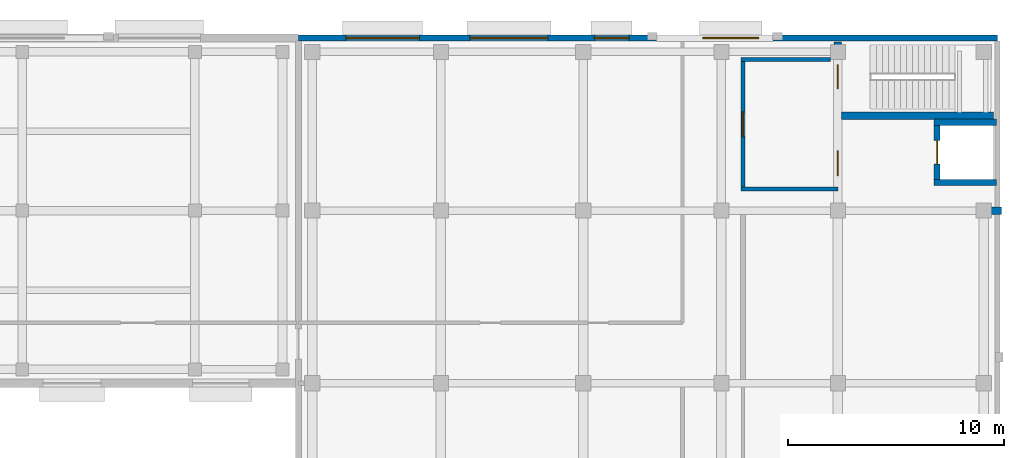
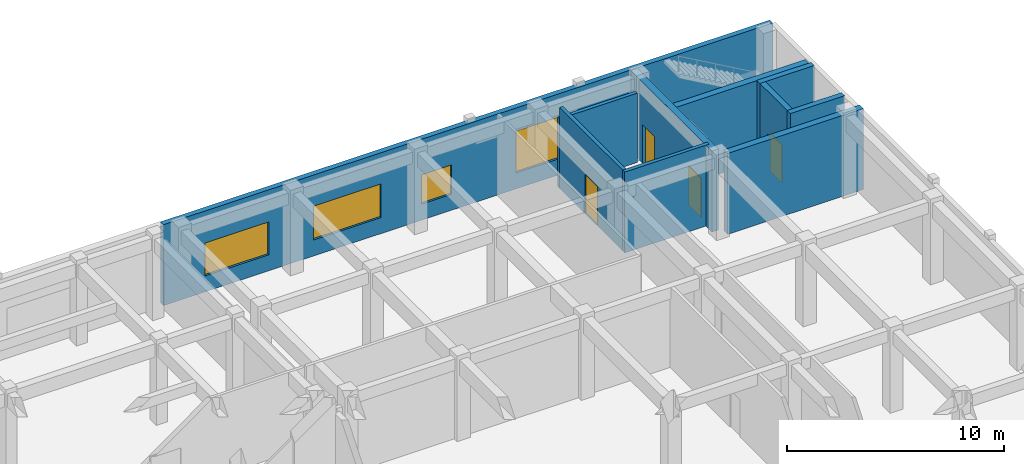
# One storey, part 45 of 64: 10 walls, 4 doors, 4 windows, 8 openings.
"""IFC4 building model written with IfcOpenShell, lengths in metres."""

from ifc_helpers import new_model, si_unit, direction, frame, frame_2d, origin, place, context, subcontext, project, spatial, rectangle, extrude, material, layer, layer_set, type_object, element, fill, save


model = new_model("IFC4")

# Units and contexts
model_context = context("Model", 3, precision=1e-05, world=origin(), true_north=direction((0.0, 1.0)))
body_context = subcontext(model_context, "Body", "Model", "MODEL_VIEW")
ifc_project = project(units=[si_unit("LENGTHUNIT", "METRE"), si_unit("AREAUNIT", "SQUARE_METRE"), si_unit("VOLUMEUNIT", "CUBIC_METRE"), si_unit("PLANEANGLEUNIT", "RADIAN"), si_unit("MASSUNIT", "GRAM", prefix="KILO")], contexts=[model_context])

# Site, building, storey
site_placement = place(None, origin())
site = spatial("IfcSite", under=ifc_project, at=site_placement, CompositionType="ELEMENT")
building_placement = place(site_placement, origin())
building = spatial("IfcBuilding", under=site, at=building_placement, Name="Cinchona Park Media Centre", CompositionType="ELEMENT")
storey_placement = place(building_placement, frame((0.0, 0.0, 5.39990234375)))
storey = spatial("IfcBuildingStorey", under=building, at=storey_placement, Name="L01", CompositionType="ELEMENT", Elevation=5.39990234375)

# Wall
ifc_material_1 = material(Name="Concrete C40/50", Category="concrete")
ifc_layer_1 = layer(ifc_material_1, 0.35009765625)
ifc_layer_set_1 = layer_set([ifc_layer_1], Name="Concrete C40/50")
wall_type_1 = type_object("IfcWallType", Name="WALL-W-CR350", PredefinedType="SHEAR", material=ifc_layer_set_1)
wall_1_placement = place(storey_placement, frame((164.951904296875, 110.0, 0.0), z_axis=(0.0, 0.0, 1.0), x_axis=(1.0, 0.0, 0.0)))
element("IfcWall", 1, at=wall_1_placement, inside=storey, type_object=wall_type_1, Name="Core Shear Wall W-CR350 L01", PredefinedType="SHEAR", context=body_context, shape_type="SweptSolid", body=[
    extrude(rectangle(XDim=7.22314453125, YDim=0.35009765625, at=frame_2d((3.611572265625, 0.0))), origin(), (0.0, 0.0, 1.0), 4.550048828125),
])

# Wall, openings, doors
wall_2_placement = place(storey_placement, frame((164.60009765625, 110.35205078125, 0.0), z_axis=(0.0, 0.0, 1.0), x_axis=(0.0, 1.0, 0.0)))
wall_2 = element("IfcWall", 2, at=wall_2_placement, inside=storey, type_object=wall_type_1, Name="Core Shear Wall W-CR350 L01", PredefinedType="SHEAR", context=body_context, shape_type="SweptSolid", body=[
    extrude(rectangle(XDim=7.472900390625, YDim=0.35009765625, at=frame_2d((3.736328125, 0.0))), origin(), (0.0, 0.0, 1.0), 4.550048828125),
])
opening_1_placement = place(wall_2_placement, frame((5.298095703125, 0.0, 0.0)))
opening_1 = element("IfcOpeningElement", 3, at=opening_1_placement, cuts=wall_2, Name="Opening D061", PredefinedType="OPENING", context=body_context, shape_type="SweptSolid", body=[
    extrude(rectangle(XDim=1.10009765625, YDim=2.14990234375, at=frame_2d((0.550048828125, 1.074951171875))), frame((0.0, 0.18505859375, 0.0), z_axis=(0.0, -1.0, 0.0), x_axis=(1.0, 0.0, 0.0)), (0.0, 0.0, 1.0), 0.3701171875),
])
opening_2_placement = place(wall_2_placement, frame((1.27294921875, 0.0, 0.0)))
opening_2 = element("IfcOpeningElement", 4, at=opening_2_placement, cuts=wall_2, Name="Opening D062", PredefinedType="OPENING", context=body_context, shape_type="SweptSolid", body=[
    extrude(rectangle(XDim=1.14990234375, YDim=2.199951171875, at=frame_2d((0.574951171875, 1.10009765625))), frame((0.0, 0.18505859375, 0.0), z_axis=(0.0, -1.0, 0.0), x_axis=(1.0, 0.0, 0.0)), (0.0, 0.0, 1.0), 0.3701171875),
])
ifc_material_2 = material(Name="Insulated Fire-Rated Steel Door", Category="steel")
door_type_1 = type_object("IfcDoorType", Name="DOOR-DT-FF", OperationType="NOTDEFINED", PredefinedType="DOOR", material=ifc_material_2)
door_1_placement = place(opening_2_placement, origin())
door_1 = element("IfcDoor", 5, at=door_1_placement, inside=storey, type_object=door_type_1, Name="Interior Door D062", OperationType="SINGLE_SWING_RIGHT", OverallHeight=2.199951171875, OverallWidth=1.14990234375, PredefinedType="DOOR", context=body_context, shape_type="SweptSolid", body=[
    extrude(rectangle(XDim=1.14990234375, YDim=2.199951171875, at=frame_2d((0.574951171875, 1.10009765625))), frame((0.0, 0.02490234375, 0.0), z_axis=(0.0, -1.0, 0.0), x_axis=(1.0, 0.0, 0.0)), (0.0, 0.0, 1.0), 0.050048828125),
])
fill(opening_2, door_1)
ifc_material_3 = material(Name="Insulated Fire-Rated Steel Door", Category="steel")
door_type_2 = type_object("IfcDoorType", Name="DOOR-DT-ST", OperationType="NOTDEFINED", PredefinedType="DOOR", material=ifc_material_3)
door_2_placement = place(opening_1_placement, origin())
door_2 = element("IfcDoor", 6, at=door_2_placement, inside=storey, type_object=door_type_2, Name="Interior Door D061", OperationType="SINGLE_SWING_LEFT", OverallHeight=2.14990234375, OverallWidth=1.10009765625, PredefinedType="DOOR", context=body_context, shape_type="SweptSolid", body=[
    extrude(rectangle(XDim=1.10009765625, YDim=2.14990234375, at=frame_2d((0.550048828125, 1.074951171875))), frame((0.0, 0.02490234375, 0.0), z_axis=(0.0, -1.0, 0.0), x_axis=(1.0, 0.0, 0.0)), (0.0, 0.0, 1.0), 0.050048828125),
])
fill(opening_1, door_2)

# Wall
wall_3_placement = place(storey_placement, frame((164.77490234375, 114.39990234375, 0.0), z_axis=(0.0, 0.0, 1.0), x_axis=(1.0, 0.0, 0.0)))
element("IfcWall", 7, at=wall_3_placement, inside=storey, type_object=wall_type_1, Name="Core Shear Wall W-CR350 L01", PredefinedType="SHEAR", context=body_context, shape_type="SweptSolid", body=[
    extrude(rectangle(XDim=7.050048828125, YDim=0.35009765625, at=frame_2d((3.52490234375, 0.0))), origin(), (0.0, 0.0, 1.0), 4.550048828125),
])

# Wall, openings, windows
ifc_material_4 = material(Name="Precast concrete C40/50", Category="concrete")
ifc_layer_2 = layer(ifc_material_4, 0.27490234375)
ifc_layer_set_2 = layer_set([ifc_layer_2], Name="Precast concrete C40/50")
wall_type_2 = type_object("IfcWallType", Name="WALL-W-EX03", PredefinedType="SOLIDWALL", material=ifc_layer_set_2)
wall_4_placement = place(storey_placement, frame((139.60009765625, 118.0, 0.0), z_axis=(0.0, 0.0, 1.0), x_axis=(1.0, 0.0, 0.0)))
wall_4 = element("IfcWall", 8, at=wall_4_placement, inside=storey, type_object=wall_type_2, Name="Exterior Wall W-EX03 V7 L01", PredefinedType="SOLIDWALL", context=body_context, shape_type="SweptSolid", body=[
    extrude(rectangle(XDim=32.39990234375, YDim=0.27490234375, at=frame_2d((16.199951171875, 0.0))), origin(), (0.0, 0.0, 1.0), 4.550048828125),
])
opening_3_placement = place(wall_4_placement, frame((2.199951171875, 0.0, 0.89990234375)))
opening_3 = element("IfcOpeningElement", 9, at=opening_3_placement, cuts=wall_4, Name="Opening WN34", PredefinedType="OPENING", context=body_context, shape_type="SweptSolid", body=[
    extrude(rectangle(XDim=3.39990234375, YDim=1.85009765625, at=frame_2d((1.699951171875, 0.925048828125))), frame((0.0, 0.1474609375, 0.0), z_axis=(0.0, -1.0, 0.0), x_axis=(1.0, 0.0, 0.0)), (0.0, 0.0, 1.0), 0.294921875),
])
opening_4_placement = place(wall_4_placement, frame((7.9599609375, 0.0, 0.89990234375)))
opening_4 = element("IfcOpeningElement", 10, at=opening_4_placement, cuts=wall_4, Name="Opening WN35", PredefinedType="OPENING", context=body_context, shape_type="SweptSolid", body=[
    extrude(rectangle(XDim=3.60009765625, YDim=1.89990234375, at=frame_2d((1.800048828125, 0.949951171875))), frame((0.0, 0.1474609375, 0.0), z_axis=(0.0, -1.0, 0.0), x_axis=(1.0, 0.0, 0.0)), (0.0, 0.0, 1.0), 0.294921875),
])
opening_5_placement = place(wall_4_placement, frame((13.719970703125, 0.0, 0.89990234375)))
opening_5 = element("IfcOpeningElement", 11, at=opening_5_placement, cuts=wall_4, Name="Opening WN25", PredefinedType="OPENING", context=body_context, shape_type="SweptSolid", body=[
    extrude(rectangle(XDim=1.60009765625, YDim=1.64990234375, at=frame_2d((0.800048828125, 0.824951171875))), frame((0.0, 0.1474609375, 0.0), z_axis=(0.0, -1.0, 0.0), x_axis=(1.0, 0.0, 0.0)), (0.0, 0.0, 1.0), 0.294921875),
])
opening_6_placement = place(wall_4_placement, frame((18.72998046875, 0.0, 0.89990234375)))
opening_6 = element("IfcOpeningElement", 12, at=opening_6_placement, cuts=wall_4, Name="Opening WN13", PredefinedType="OPENING", context=body_context, shape_type="SweptSolid", body=[
    extrude(rectangle(XDim=2.60009765625, YDim=2.35009765625, at=frame_2d((1.300048828125, 1.175048828125))), frame((0.0, 0.1474609375, 0.0), z_axis=(0.0, -1.0, 0.0), x_axis=(1.0, 0.0, 0.0)), (0.0, 0.0, 1.0), 0.294921875),
])
ifc_material_5 = material(Name="Thermally Broken Aluminium Solar-Control Window", Category="aluminium")
window_type_1 = type_object("IfcWindowType", Name="WIN-WN13", PartitioningType="SINGLE_PANEL", PredefinedType="WINDOW", material=ifc_material_5)
window_1_placement = place(opening_6_placement, origin())
window_1 = element("IfcWindow", 13, at=window_1_placement, inside=storey, type_object=window_type_1, Name="Window WN13 L01", OverallHeight=2.35009765625, OverallWidth=2.60009765625, PartitioningType="SINGLE_PANEL", PredefinedType="WINDOW", context=body_context, shape_type="SweptSolid", body=[
    extrude(rectangle(XDim=2.60009765625, YDim=2.35009765625, at=frame_2d((1.300048828125, 1.175048828125))), frame((0.0, 0.030029296875, 0.0), z_axis=(0.0, -1.0, 0.0), x_axis=(1.0, 0.0, 0.0)), (0.0, 0.0, 1.0), 0.06005859375),
])
fill(opening_6, window_1)
ifc_material_6 = material(Name="Thermally Broken Aluminium Solar-Control Window", Category="aluminium")
window_type_2 = type_object("IfcWindowType", Name="WIN-WN25", PartitioningType="SINGLE_PANEL", PredefinedType="WINDOW", material=ifc_material_6)
window_2_placement = place(opening_5_placement, origin())
window_2 = element("IfcWindow", 14, at=window_2_placement, inside=storey, type_object=window_type_2, Name="Window WN25 L01", OverallHeight=1.64990234375, OverallWidth=1.60009765625, PartitioningType="SINGLE_PANEL", PredefinedType="WINDOW", context=body_context, shape_type="SweptSolid", body=[
    extrude(rectangle(XDim=1.60009765625, YDim=1.64990234375, at=frame_2d((0.800048828125, 0.824951171875))), frame((0.0, 0.030029296875, 0.0), z_axis=(0.0, -1.0, 0.0), x_axis=(1.0, 0.0, 0.0)), (0.0, 0.0, 1.0), 0.06005859375),
])
fill(opening_5, window_2)
ifc_material_7 = material(Name="Thermally Broken Aluminium Solar-Control Window", Category="aluminium")
window_type_3 = type_object("IfcWindowType", Name="WIN-WN34", PartitioningType="SINGLE_PANEL", PredefinedType="WINDOW", material=ifc_material_7)
window_3_placement = place(opening_3_placement, origin())
window_3 = element("IfcWindow", 15, at=window_3_placement, inside=storey, type_object=window_type_3, Name="Window WN34 L01", OverallHeight=1.85009765625, OverallWidth=3.39990234375, PartitioningType="SINGLE_PANEL", PredefinedType="WINDOW", context=body_context, shape_type="SweptSolid", body=[
    extrude(rectangle(XDim=3.39990234375, YDim=1.85009765625, at=frame_2d((1.699951171875, 0.925048828125))), frame((0.0, 0.030029296875, 0.0), z_axis=(0.0, -1.0, 0.0), x_axis=(1.0, 0.0, 0.0)), (0.0, 0.0, 1.0), 0.06005859375),
])
fill(opening_3, window_3)
ifc_material_8 = material(Name="Thermally Broken Aluminium Solar-Control Window", Category="aluminium")
window_type_4 = type_object("IfcWindowType", Name="WIN-WN35", PartitioningType="SINGLE_PANEL", PredefinedType="WINDOW", material=ifc_material_8)
window_4_placement = place(opening_4_placement, origin())
window_4 = element("IfcWindow", 16, at=window_4_placement, inside=storey, type_object=window_type_4, Name="Window WN35 L01", OverallHeight=1.89990234375, OverallWidth=3.60009765625, PartitioningType="SINGLE_PANEL", PredefinedType="WINDOW", context=body_context, shape_type="SweptSolid", body=[
    extrude(rectangle(XDim=3.60009765625, YDim=1.89990234375, at=frame_2d((1.800048828125, 0.949951171875))), frame((0.0, 0.030029296875, 0.0), z_axis=(0.0, -1.0, 0.0), x_axis=(1.0, 0.0, 0.0)), (0.0, 0.0, 1.0), 0.06005859375),
])
fill(opening_4, window_4)

# Walls
ifc_material_9 = material(Name="Fire-Rated Gypsum Stud Partition", Category="gypsum")
ifc_layer_3 = layer(ifc_material_9, 0.18994140625)
ifc_layer_set_3 = layer_set([ifc_layer_3], Name="Fire-Rated Gypsum Stud Partition")
wall_type_3 = type_object("IfcWallType", Name="WALL-W-PT190", PredefinedType="PARTITIONING", material=ifc_layer_set_3)
wall_5_placement = place(storey_placement, frame((160.10498046875, 111.0, 0.0), z_axis=(0.0, 0.0, 1.0), x_axis=(1.0, 0.0, 0.0)))
element("IfcWall", 17, at=wall_5_placement, inside=storey, type_object=wall_type_3, Name="Interior Wall W-PT190 L01", PredefinedType="PARTITIONING", context=body_context, shape_type="SweptSolid", body=[
    extrude(rectangle(XDim=4.4951171875, YDim=0.18994140625, at=frame_2d((2.24755859375, 0.0))), origin(), (0.0, 0.0, 1.0), 4.550048828125),
])
wall_6_placement = place(storey_placement, frame((160.10498046875, 117.0, 0.0), z_axis=(0.0, 0.0, 1.0), x_axis=(1.0, 0.0, 0.0)))
element("IfcWall", 18, at=wall_6_placement, inside=storey, type_object=wall_type_3, Name="Interior Wall W-PT190 L01", PredefinedType="PARTITIONING", context=body_context, shape_type="SweptSolid", body=[
    extrude(rectangle(XDim=4.14306640625, YDim=0.18994140625, at=frame_2d((2.071533203125, 0.0))), origin(), (0.0, 0.0, 1.0), 3.900146484375),
])

# Wall, opening, door
wall_7_placement = place(storey_placement, frame((160.199951171875, 111.094970703125, 0.0), z_axis=(0.0, 0.0, 1.0), x_axis=(0.0, 1.0, 0.0)))
wall_7 = element("IfcWall", 19, at=wall_7_placement, inside=storey, type_object=wall_type_3, Name="Interior Wall W-PT190 L01", PredefinedType="PARTITIONING", context=body_context, shape_type="SweptSolid", body=[
    extrude(rectangle(XDim=5.81005859375, YDim=0.18994140625, at=frame_2d((2.905029296875, 0.0))), origin(), (0.0, 0.0, 1.0), 4.550048828125),
])
opening_7_placement = place(wall_7_placement, frame((2.330078125, 0.0, 0.0)))
opening_7 = element("IfcOpeningElement", 20, at=opening_7_placement, cuts=wall_7, Name="Opening D063", PredefinedType="OPENING", context=body_context, shape_type="SweptSolid", body=[
    extrude(rectangle(XDim=1.14990234375, YDim=2.199951171875, at=frame_2d((0.574951171875, 1.10009765625))), frame((0.0, 0.10498046875, 0.0), z_axis=(0.0, -1.0, 0.0), x_axis=(1.0, 0.0, 0.0)), (0.0, 0.0, 1.0), 0.2099609375),
])
door_3_placement = place(opening_7_placement, origin())
door_3 = element("IfcDoor", 21, at=door_3_placement, inside=storey, type_object=door_type_1, Name="Interior Door D063", OperationType="SINGLE_SWING_LEFT", OverallHeight=2.199951171875, OverallWidth=1.14990234375, PredefinedType="DOOR", context=body_context, shape_type="SweptSolid", body=[
    extrude(rectangle(XDim=1.14990234375, YDim=2.199951171875, at=frame_2d((0.574951171875, 1.10009765625))), frame((0.0, 0.02490234375, 0.0), z_axis=(0.0, -1.0, 0.0), x_axis=(1.0, 0.0, 0.0)), (0.0, 0.0, 1.0), 0.050048828125),
])
fill(opening_7, door_3)

# Walls
ifc_material_10 = material(Name="Concrete C40/50", Category="concrete")
ifc_layer_4 = layer(ifc_material_10, 0.2900390625)
ifc_layer_set_4 = layer_set([ifc_layer_4], Name="Concrete C40/50")
wall_type_4 = type_object("IfcWallType", Name="WALL-W-SH290", PredefinedType="SHEAR", material=ifc_layer_set_4)
for number, where, z_axis, x_axis, name in (
    (22, (169.054931640625, 111.300048828125, 0.0), (0.0, 0.0, 1.0), (1.0, 0.0, 0.0), "Core Shear Wall W-SH290 L01"),
    (23, (169.054931640625, 114.10009765625, 0.0), (0.0, 0.0, 1.0), (1.0, 0.0, 0.0), "Core Shear Wall W-SH290 L01"),
):
    element("IfcWall", number, at=place(storey_placement, frame(where, z_axis=z_axis, x_axis=x_axis)), inside=storey, type_object=wall_type_4, Name=name, PredefinedType="SHEAR", context=body_context, shape_type="SweptSolid", body=[
        extrude(rectangle(XDim=2.89013671875, YDim=0.2900390625, at=frame_2d((1.445068359375, 0.0))), origin(), (0.0, 0.0, 1.0), 4.550048828125),
    ])

# Wall, opening, door
wall_8_placement = place(storey_placement, frame((169.199951171875, 111.445068359375, 0.0), z_axis=(0.0, 0.0, 1.0), x_axis=(0.0, 1.0, 0.0)))
wall_8 = element("IfcWall", 24, at=wall_8_placement, inside=storey, type_object=wall_type_4, Name="Core Shear Wall W-SH290 L01", PredefinedType="SHEAR", context=body_context, shape_type="SweptSolid", body=[
    extrude(rectangle(XDim=2.510009765625, YDim=0.2900390625, at=frame_2d((1.2548828125, 0.0))), origin(), (0.0, 0.0, 1.0), 4.550048828125),
])
opening_8_placement = place(wall_8_placement, frame((0.705078125, 0.0, 0.0)))
opening_8 = element("IfcOpeningElement", 25, at=opening_8_placement, cuts=wall_8, Name="Opening LD16", PredefinedType="OPENING", context=body_context, shape_type="SweptSolid", body=[
    extrude(rectangle(XDim=1.10009765625, YDim=2.14990234375, at=frame_2d((0.550048828125, 1.074951171875))), frame((0.0, 0.155029296875, 0.0), z_axis=(0.0, -1.0, 0.0), x_axis=(1.0, 0.0, 0.0)), (0.0, 0.0, 1.0), 0.31005859375),
])
ifc_material_11 = material(Name="Stainless Steel Sliding Lift Landing Door", Category="steel")
door_type_3 = type_object("IfcDoorType", Name="DOOR-DT-LD1", OperationType="NOTDEFINED", PredefinedType="DOOR", material=ifc_material_11)
door_4_placement = place(opening_8_placement, origin())
door_4 = element("IfcDoor", 26, at=door_4_placement, inside=storey, type_object=door_type_3, Name="Lift Landing Door LD16", OperationType="SLIDING_TO_LEFT", OverallHeight=2.14990234375, OverallWidth=1.10009765625, PredefinedType="DOOR", context=body_context, shape_type="SweptSolid", body=[
    extrude(rectangle(XDim=1.10009765625, YDim=2.14990234375, at=frame_2d((0.550048828125, 1.074951171875))), frame((0.0, 0.02490234375, 0.0), z_axis=(0.0, -1.0, 0.0), x_axis=(1.0, 0.0, 0.0)), (0.0, 0.0, 1.0), 0.050048828125),
])
fill(opening_8, door_4)

save(model, "model.ifc")
